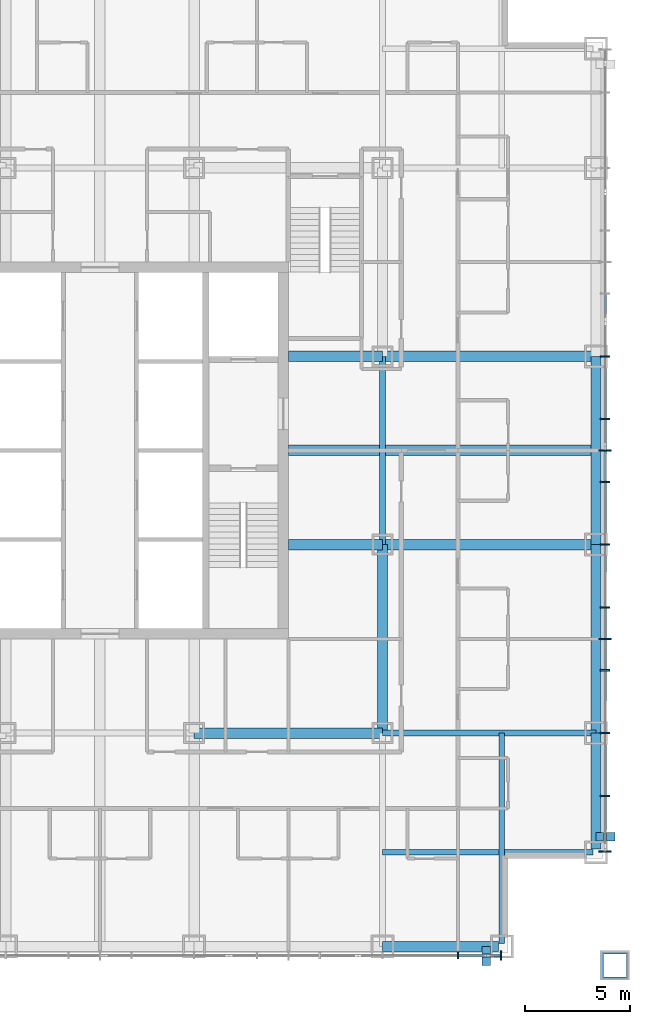
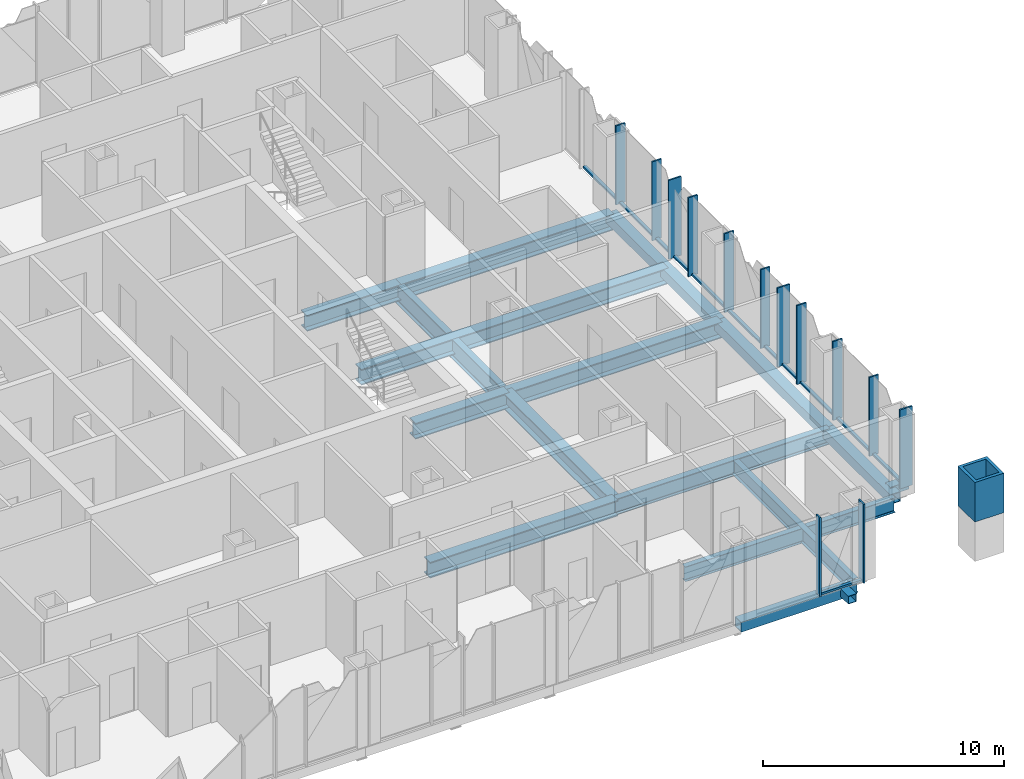
# One storey, part 4 of 23: 28 members, 15 beams, 2 elements without a shape of their own.
"""IFC4 building model written with IfcOpenShell, lengths in metres."""

import ifcopenshell
import ifcopenshell.guid

model = None  # the IFC model being written
_history = None  # IfcOwnerHistory: only IFC2X3 demands one
_inside = {}  # id of a spatial element -> (the spatial element, [elements in it])
_under = {}  # id of a project, library or spatial element -> (it, [spatial elements below it])
_declared = {}  # id of a project -> (the project, [libraries it declares])
_typed = {}  # id of a type object -> (the type object, [elements of that type])
_made_of = {}  # id of a material, layer set ... -> (it, [elements and type objects made of it])


def new_model(schema):
    """Start an empty IFC model of exactly this schema.

    Asked for "IFC4X3", IfcOpenShell would pick the latest addendum, in which some entities
    have other attributes; the version numbers below select the first issue.
    IFC2X3 requires an IfcOwnerHistory on every rooted entity: one is made here for all.
    """
    global model, _history
    if schema == "IFC4X3":
        model = ifcopenshell.file(schema_version=(4, 3, 0, 0))
    else:
        model = ifcopenshell.file(schema=schema)
    _inside.clear()
    _under.clear()
    _declared.clear()
    _typed.clear()
    _made_of.clear()
    _history = None
    if model.schema == "IFC2X3":
        org = make("IfcOrganization", Name="unknown")
        user = make(
            "IfcPersonAndOrganization",
            ThePerson=make("IfcPerson", FamilyName="unknown"),
            TheOrganization=org,
        )
        app = make(
            "IfcApplication",
            ApplicationDeveloper=org,
            Version="unknown",
            ApplicationFullName="unknown",
            ApplicationIdentifier="unknown",
        )
        _history = make(
            "IfcOwnerHistory",
            OwningUser=user,
            OwningApplication=app,
            ChangeAction="ADDED",
            CreationDate=0,
        )
    return model


def make(cls, **values):
    """One entity of the class cls with the attributes given. An attribute that is None is left unset."""
    return model.create_entity(
        cls, **{name: value for name, value in values.items() if value is not None}
    )


def rooted(cls, **values):
    """An entity with a GlobalId (a new one), such as an element, a storey or a relation."""
    return make(cls, GlobalId=ifcopenshell.guid.new(), OwnerHistory=_history, **values)


def si_unit(unit_type, name, prefix=None):
    """IfcSIUnit, for example si_unit("LENGTHUNIT", "METRE", prefix="MILLI")."""
    return make("IfcSIUnit", UnitType=unit_type, Prefix=prefix, Name=name)


def assignment(units):
    """IfcUnitAssignment: the units of a project."""
    return None if units is None else make("IfcUnitAssignment", Units=units)


def point(xyz):
    """IfcCartesianPoint."""
    return None if xyz is None else make("IfcCartesianPoint", Coordinates=xyz)


def direction(xyz):
    """IfcDirection."""
    return None if xyz is None else make("IfcDirection", DirectionRatios=xyz)


def frame(location, z_axis=None, x_axis=None):
    """IfcAxis2Placement3D, a coordinate frame: its origin and axes. An axis left out is left unset."""
    return make(
        "IfcAxis2Placement3D",
        Location=point(location),
        Axis=direction(z_axis),
        RefDirection=direction(x_axis),
    )


def frame_2d(location, x_axis=None):
    """IfcAxis2Placement2D, a coordinate frame in the plane: its origin and x axis."""
    return make(
        "IfcAxis2Placement2D", Location=point(location), RefDirection=direction(x_axis)
    )


def origin():
    """The frame at (0, 0, 0) with its axes left unset."""
    return frame((0.0, 0.0, 0.0))


def origin_2d():
    """The frame at (0, 0) in the plane with its x axis left unset."""
    return frame_2d((0.0, 0.0))


def place(relative_to, where):
    """IfcLocalPlacement: puts the frame where relative to a parent placement (None: the world)."""
    return make(
        "IfcLocalPlacement", PlacementRelTo=relative_to, RelativePlacement=where
    )


def context(
    kind, dimensions, precision=None, world=None, true_north=None, identifier=None
):
    """IfcGeometricRepresentationContext, for example the 3D "Model" context."""
    return make(
        "IfcGeometricRepresentationContext",
        ContextIdentifier=identifier,
        ContextType=kind,
        CoordinateSpaceDimension=dimensions,
        Precision=precision,
        WorldCoordinateSystem=world,
        TrueNorth=true_north,
    )


def subcontext(parent, identifier, kind, view, scale=None):
    """IfcGeometricRepresentationSubContext, for example "Body" below "Model"."""
    return make(
        "IfcGeometricRepresentationSubContext",
        ContextIdentifier=identifier,
        ContextType=kind,
        ParentContext=parent,
        TargetScale=scale,
        TargetView=view,
    )


def project(units=None, contexts=None):
    """IfcProject with its units and contexts."""
    return rooted(
        "IfcProject",
        Name="project",
        RepresentationContexts=contexts,
        UnitsInContext=assignment(units),
    )


def spatial(cls, under=None, at=None, **own):
    """A site, building, storey or space (cls), placed at a placement, below another one or the project."""
    s = rooted(cls, ObjectPlacement=at, **own)
    if under is not None:
        _under.setdefault(under.id(), (under, []))[1].append(s)
    return s


def profile(cls, at=None, kind="AREA", **sizes):
    """A parametric profile (cls). Its sizes go by their IFC names, for example OverallWidth=200.0."""
    return make(cls, ProfileType=kind, Position=at, **sizes)


def rectangle(**sizes):
    """IfcRectangleProfileDef."""
    return profile("IfcRectangleProfileDef", **sizes)


def hollow_rectangle(**sizes):
    """IfcRectangleHollowProfileDef."""
    return profile("IfcRectangleHollowProfileDef", **sizes)


def i_section(**sizes):
    """IfcIShapeProfileDef."""
    return profile("IfcIShapeProfileDef", **sizes)


def extrude(swept, where, along, depth):
    """IfcExtrudedAreaSolid: the profile swept, set in the frame where, extruded along a direction by depth."""
    return make(
        "IfcExtrudedAreaSolid",
        SweptArea=swept,
        Position=where,
        ExtrudedDirection=direction(along),
        Depth=depth,
    )


def shape(context_of_items, identifier, shape_type, items):
    """IfcShapeRepresentation: the items that make up one representation, for example the "Body"."""
    return make(
        "IfcShapeRepresentation",
        ContextOfItems=context_of_items,
        RepresentationIdentifier=identifier,
        RepresentationType=shape_type,
        Items=items,
    )


def material(Name=None, Category=None):
    """IfcMaterial."""
    return make("IfcMaterial", Name=Name, Category=Category)


def layer(
    of_material, thickness, ventilated=None, Name=None, Category=None, Priority=None
):
    """IfcMaterialLayer: one layer of a wall or slab, of a material (None: an air gap)."""
    return make(
        "IfcMaterialLayer",
        Material=of_material,
        LayerThickness=thickness,
        IsVentilated=ventilated,
        Name=Name,
        Category=Category,
        Priority=Priority,
    )


def layer_set(layers, Name=None):
    """IfcMaterialLayerSet."""
    return make("IfcMaterialLayerSet", MaterialLayers=layers, LayerSetName=Name)


def material_profile(
    of_material, cross_section, Name=None, Category=None, Priority=None
):
    """IfcMaterialProfile: a cross section and its material."""
    return make(
        "IfcMaterialProfile",
        Name=Name,
        Material=of_material,
        Profile=cross_section,
        Priority=Priority,
        Category=Category,
    )


def profile_set(profiles, Name=None, composite=None):
    """IfcMaterialProfileSet."""
    return make(
        "IfcMaterialProfileSet",
        Name=Name,
        MaterialProfiles=profiles,
        CompositeProfile=composite,
    )


def made_of(thing, what):
    """Note that an element or type object is made of a material, layer set ...; save() writes the relation."""
    if what is not None:
        _made_of.setdefault(what.id(), (what, []))[1].append(thing)
    return thing


def type_object(cls, material=None, **own):
    """A type object (cls), such as IfcWallType, which elements share."""
    return made_of(rooted(cls, **own), material)


def element(
    cls,
    number,
    at=None,
    inside=None,
    cuts=None,
    type_object=None,
    material=None,
    context=None,
    identifier="Body",
    shape_type=None,
    held_by="IfcProductDefinitionShape",
    body=None,
    shapes=None,
    **own,
):
    """One element of the class cls, such as IfcWall. Its Tag is "e" and its number.

    at: its placement. inside: the storey or other place that contains it. cuts: it is an
    opening in that element (IfcRelVoidsElement). A single representation is given by context,
    identifier, shape_type and body (its items); several are given by shapes. held_by: the class
    of the entity that holds the representations. save() writes the other relations.
    """
    e = rooted(cls, Tag="e%d" % number, ObjectPlacement=at, **own)
    if body is not None:
        shapes = [shape(context, identifier, shape_type, body)]
    if shapes is not None:
        e.Representation = make(held_by, Representations=shapes)
    if inside is not None:
        _inside.setdefault(inside.id(), (inside, []))[1].append(e)
    if cuts is not None:
        rooted(
            "IfcRelVoidsElement", RelatingBuildingElement=cuts, RelatedOpeningElement=e
        )
    if type_object is not None:
        _typed.setdefault(type_object.id(), (type_object, []))[1].append(e)
    return made_of(e, material)


def aggregate(whole, parts):
    """IfcRelAggregates: a whole, such as a stair, and the parts it consists of."""
    return rooted("IfcRelAggregates", RelatingObject=whole, RelatedObjects=parts)


def save(model, path):
    """Write the relations noted so far, then the file.

    IfcRelAggregates (storeys below a building ...), IfcRelContainedInSpatialStructure (elements
    in a storey), IfcRelDefinesByType, IfcRelAssociatesMaterial and IfcRelDeclares: one each for
    every whole, place, type object, material and project.
    """
    for whole, parts in _under.values():
        aggregate(whole, parts)
    for where, things in _inside.values():
        rooted(
            "IfcRelContainedInSpatialStructure",
            RelatedElements=things,
            RelatingStructure=where,
        )
    for kind, things in _typed.values():
        rooted("IfcRelDefinesByType", RelatedObjects=things, RelatingType=kind)
    for what, things in _made_of.values():
        rooted("IfcRelAssociatesMaterial", RelatedObjects=things, RelatingMaterial=what)
    for by, libraries in _declared.values():
        rooted("IfcRelDeclares", RelatingContext=by, RelatedDefinitions=libraries)
    model.write(path)


model = new_model("IFC4")

# Units and contexts
model_context = context("Model", 3, precision=1e-05, world=origin(), true_north=direction((0.0, 1.0)))
body_context = subcontext(model_context, "Body", "Model", "MODEL_VIEW")
ifc_project = project(units=[si_unit("LENGTHUNIT", "METRE"), si_unit("AREAUNIT", "SQUARE_METRE"), si_unit("VOLUMEUNIT", "CUBIC_METRE"), si_unit("PLANEANGLEUNIT", "RADIAN"), si_unit("MASSUNIT", "GRAM", prefix="KILO")], contexts=[model_context])

# Site, building, storey
site_placement = place(None, origin())
site = spatial("IfcSite", under=ifc_project, at=site_placement, CompositionType="ELEMENT")
building_placement = place(site_placement, origin())
building = spatial("IfcBuilding", under=site, at=building_placement, Name="Malebo Sky Hospital", CompositionType="ELEMENT")
storey_placement = place(building_placement, frame((0.0, 0.0, 168.0)))
storey = spatial("IfcBuildingStorey", under=building, at=storey_placement, Name="L40", CompositionType="ELEMENT", Elevation=168.0)

# Curtain wall, member
ifc_material_1 = material(Name="Anodised aluminium, natural silver", Category="aluminium")
ifc_layer_1 = layer(ifc_material_1, 0.25)
ifc_layer_set_1 = layer_set([ifc_layer_1], Name="WARD CURTAIN WALL NORTH AND SOUTH")
curtain_wall_type_1 = type_object("IfcCurtainWallType", Name="WARD CURTAIN WALL NORTH AND SOUTH", PredefinedType="NOTDEFINED", material=ifc_layer_set_1)
curtain_wall_1_placement = place(storey_placement, origin())
curtain_wall_1 = element("IfcCurtainWall", 1, at=curtain_wall_1_placement, inside=storey, type_object=curtain_wall_type_1, Name="NS curtain wall S", PredefinedType="NOTDEFINED")
ifc_material_profile_1 = material_profile(ifc_material_1, rectangle(XDim=0.14990234375, YDim=0.10009765625, at=origin_2d()), Name="ALUMINIUM TRANSOM 150x100")
ifc_profile_set_1 = profile_set([ifc_material_profile_1], Name="Anodised aluminium, natural silver")
member_type_1 = type_object("IfcMemberType", Name="ALUMINIUM TRANSOM 150x100", PredefinedType="USERDEFINED", material=ifc_profile_set_1)
member_1_placement = place(storey_placement, frame((79.125, 37.864990234375, 0.050048828125), z_axis=(-1.0, 0.0, 0.0), x_axis=(0.0, -1.0, 0.0)))
member_1 = element("IfcMember", 2, at=member_1_placement, type_object=member_type_1, Name="Transom 1", ObjectType="TRANSOM", PredefinedType="USERDEFINED", context=body_context, shape_type="SweptSolid", body=[
    extrude(rectangle(XDim=0.14990234375, YDim=0.10009765625, at=origin_2d()), origin(), (0.0, 0.0, 1.0), 1.987548828125),
])

# Curtain wall, members
ifc_layer_2 = layer(ifc_material_1, 0.25)
ifc_layer_set_2 = layer_set([ifc_layer_2], Name="WARD CURTAIN WALL EAST AND WEST")
curtain_wall_type_2 = type_object("IfcCurtainWallType", Name="WARD CURTAIN WALL EAST AND WEST", PredefinedType="NOTDEFINED", material=ifc_layer_set_2)
curtain_wall_2_placement = place(storey_placement, origin())
curtain_wall_2 = element("IfcCurtainWall", 3, at=curtain_wall_2_placement, inside=storey, type_object=curtain_wall_type_2, Name="EW curtain wall E", PredefinedType="NOTDEFINED")
member_2_placement = place(storey_placement, frame((84.135009765625, 69.46240234375, 0.050048828125), z_axis=(0.0, -1.0, 0.0), x_axis=(1.0, 0.0, 0.0)))
member_2 = element("IfcMember", 4, at=member_2_placement, type_object=member_type_1, Name="Transom 6", ObjectType="TRANSOM", PredefinedType="USERDEFINED", context=body_context, shape_type="SweptSolid", body=[
    extrude(rectangle(XDim=0.14990234375, YDim=0.10009765625, at=origin_2d()), origin(), (0.0, 0.0, 1.0), 2.9248046875),
])
member_3_placement = place(storey_placement, frame((84.135009765625, 66.46240234375, 0.050048828125), z_axis=(0.0, -1.0, 0.0), x_axis=(1.0, 0.0, 0.0)))
member_3 = element("IfcMember", 5, at=member_3_placement, type_object=member_type_1, Name="Transom 7", ObjectType="TRANSOM", PredefinedType="USERDEFINED", context=body_context, shape_type="SweptSolid", body=[
    extrude(rectangle(XDim=0.14990234375, YDim=0.10009765625, at=origin_2d()), origin(), (0.0, 0.0, 1.0), 2.9248046875),
])
member_4_placement = place(storey_placement, frame((84.135009765625, 63.46240234375, 0.050048828125), z_axis=(0.0, -1.0, 0.0), x_axis=(1.0, 0.0, 0.0)))
member_4 = element("IfcMember", 6, at=member_4_placement, type_object=member_type_1, Name="Transom 8", ObjectType="TRANSOM", PredefinedType="USERDEFINED", context=body_context, shape_type="SweptSolid", body=[
    extrude(rectangle(XDim=0.14990234375, YDim=0.10009765625, at=origin_2d()), origin(), (0.0, 0.0, 1.0), 1.4248046875),
])
member_5_placement = place(storey_placement, frame((84.135009765625, 61.96240234375, 0.050048828125), z_axis=(0.0, -1.0, 0.0), x_axis=(1.0, 0.0, 0.0)))
member_5 = element("IfcMember", 7, at=member_5_placement, type_object=member_type_1, Name="Transom 9", ObjectType="TRANSOM", PredefinedType="USERDEFINED", context=body_context, shape_type="SweptSolid", body=[
    extrude(rectangle(XDim=0.14990234375, YDim=0.10009765625, at=origin_2d()), origin(), (0.0, 0.0, 1.0), 1.4248046875),
])
member_6_placement = place(storey_placement, frame((84.135009765625, 60.46240234375, 0.050048828125), z_axis=(0.0, -1.0, 0.0), x_axis=(1.0, 0.0, 0.0)))
member_6 = element("IfcMember", 8, at=member_6_placement, type_object=member_type_1, Name="Transom 10", ObjectType="TRANSOM", PredefinedType="USERDEFINED", context=body_context, shape_type="SweptSolid", body=[
    extrude(rectangle(XDim=0.14990234375, YDim=0.10009765625, at=origin_2d()), origin(), (0.0, 0.0, 1.0), 2.9248046875),
])
member_7_placement = place(storey_placement, frame((84.135009765625, 57.46240234375, 0.050048828125), z_axis=(0.0, -1.0, 0.0), x_axis=(1.0, 0.0, 0.0)))
member_7 = element("IfcMember", 9, at=member_7_placement, type_object=member_type_1, Name="Transom 11", ObjectType="TRANSOM", PredefinedType="USERDEFINED", context=body_context, shape_type="SweptSolid", body=[
    extrude(rectangle(XDim=0.14990234375, YDim=0.10009765625, at=origin_2d()), origin(), (0.0, 0.0, 1.0), 2.9248046875),
])
member_8_placement = place(storey_placement, frame((84.135009765625, 54.46240234375, 0.050048828125), z_axis=(0.0, -1.0, 0.0), x_axis=(1.0, 0.0, 0.0)))
member_8 = element("IfcMember", 10, at=member_8_placement, type_object=member_type_1, Name="Transom 12", ObjectType="TRANSOM", PredefinedType="USERDEFINED", context=body_context, shape_type="SweptSolid", body=[
    extrude(rectangle(XDim=0.14990234375, YDim=0.10009765625, at=origin_2d()), origin(), (0.0, 0.0, 1.0), 1.4248046875),
])
member_9_placement = place(storey_placement, frame((84.135009765625, 52.96240234375, 0.050048828125), z_axis=(0.0, -1.0, 0.0), x_axis=(1.0, 0.0, 0.0)))
member_9 = element("IfcMember", 11, at=member_9_placement, type_object=member_type_1, Name="Transom 13", ObjectType="TRANSOM", PredefinedType="USERDEFINED", context=body_context, shape_type="SweptSolid", body=[
    extrude(rectangle(XDim=0.14990234375, YDim=0.10009765625, at=origin_2d()), origin(), (0.0, 0.0, 1.0), 1.4248046875),
])
member_10_placement = place(storey_placement, frame((84.135009765625, 51.46240234375, 0.050048828125), z_axis=(0.0, -1.0, 0.0), x_axis=(1.0, 0.0, 0.0)))
member_10 = element("IfcMember", 12, at=member_10_placement, type_object=member_type_1, Name="Transom 14", ObjectType="TRANSOM", PredefinedType="USERDEFINED", context=body_context, shape_type="SweptSolid", body=[
    extrude(rectangle(XDim=0.14990234375, YDim=0.10009765625, at=origin_2d()), origin(), (0.0, 0.0, 1.0), 2.9248046875),
])
member_11_placement = place(storey_placement, frame((84.135009765625, 48.46240234375, 0.050048828125), z_axis=(0.0, -1.0, 0.0), x_axis=(1.0, 0.0, 0.0)))
member_11 = element("IfcMember", 13, at=member_11_placement, type_object=member_type_1, Name="Transom 15", ObjectType="TRANSOM", PredefinedType="USERDEFINED", context=body_context, shape_type="SweptSolid", body=[
    extrude(rectangle(XDim=0.14990234375, YDim=0.10009765625, at=origin_2d()), origin(), (0.0, 0.0, 1.0), 2.9248046875),
])
member_12_placement = place(storey_placement, frame((84.135009765625, 45.46240234375, 0.050048828125), z_axis=(0.0, -1.0, 0.0), x_axis=(1.0, 0.0, 0.0)))
member_12 = element("IfcMember", 14, at=member_12_placement, type_object=member_type_1, Name="Transom 16", ObjectType="TRANSOM", PredefinedType="USERDEFINED", context=body_context, shape_type="SweptSolid", body=[
    extrude(rectangle(XDim=0.14990234375, YDim=0.10009765625, at=origin_2d()), origin(), (0.0, 0.0, 1.0), 2.58740234375),
])

# Members
ifc_material_2 = material(Name="Steel S355", Category="steel")
ifc_material_profile_2 = material_profile(ifc_material_2, hollow_rectangle(XDim=0.39990234375, YDim=0.39990234375, WallThickness=0.02001953125, at=origin_2d()), Name="SHS 400x20")
ifc_profile_set_2 = profile_set([ifc_material_profile_2], Name="Steel S355")
member_type_2 = type_object("IfcMemberType", Name="BRACE STRUT SHS 400x20", PredefinedType="STRUT", material=ifc_profile_set_2)
for number, where, z_axis, x_axis, name in (
    (15, (78.449951171875, 37.39990234375, -0.39990234375), (0.0, 1.0, 0.0), (-1.0, 0.0, 0.0), "Brace strut BS1 L40"),
    (16, (84.60009765625, 43.550048828125, -0.39990234375), (-1.0, 0.0, 0.0), (0.0, -1.0, 0.0), "Brace strut BE2 L40"),
):
    element("IfcMember", number, at=place(storey_placement, frame(where, z_axis=z_axis, x_axis=x_axis)), inside=storey, type_object=member_type_2, Name=name, PredefinedType="STRUT", context=body_context, shape_type="SweptSolid", body=[
        extrude(hollow_rectangle(XDim=0.39990234375, YDim=0.39990234375, WallThickness=0.02001953125, at=origin_2d()), origin(), (0.0, 0.0, 1.0), 0.900146484375),
    ])

# Member
ifc_material_profile_3 = material_profile(ifc_material_1, rectangle(XDim=0.074951171875, YDim=0.300048828125, at=origin_2d()), Name="CW1 ALUMINIUM FIN MULLION 75x300")
ifc_profile_set_3 = profile_set([ifc_material_profile_3], Name="Anodised aluminium, natural silver")
member_type_3 = type_object("IfcMemberType", Name="CW1 ALUMINIUM FIN MULLION 75x300", PredefinedType="MULLION", material=ifc_profile_set_3)
member_13_placement = place(storey_placement, frame((77.10009765625, 37.864990234375, 0.0), z_axis=(0.0, 0.0, 1.0), x_axis=(-1.0, 0.0, 0.0)))
member_13 = element("IfcMember", 17, at=member_13_placement, type_object=member_type_3, Name="Fin mullion 2", PredefinedType="MULLION", context=body_context, shape_type="SweptSolid", body=[
    extrude(rectangle(XDim=0.074951171875, YDim=0.300048828125, at=origin_2d()), origin(), (0.0, 0.0, 1.0), 4.0),
])

ifc_material_profile_4 = material_profile(ifc_material_1, rectangle(XDim=0.074951171875, YDim=0.449951171875, at=origin_2d()), Name="CW1 ALUMINIUM FIN MULLION 75x450")
ifc_profile_set_4 = profile_set([ifc_material_profile_4], Name="Anodised aluminium, natural silver")
member_type_4 = type_object("IfcMemberType", Name="CW1 ALUMINIUM FIN MULLION 75x450", PredefinedType="MULLION", material=ifc_profile_set_4)
member_14_placement = place(storey_placement, frame((79.16259765625, 37.864990234375, 0.0), z_axis=(0.0, 0.0, 1.0), x_axis=(-1.0, 0.0, 0.0)))
member_14 = element("IfcMember", 18, at=member_14_placement, type_object=member_type_4, Name="Fin mullion 1", PredefinedType="MULLION", context=body_context, shape_type="SweptSolid", body=[
    extrude(rectangle(XDim=0.074951171875, YDim=0.449951171875, at=origin_2d()), origin(), (0.0, 0.0, 1.0), 4.0),
])

aggregate(curtain_wall_1, [member_14, member_13, member_1])

ifc_material_profile_5 = material_profile(ifc_material_1, rectangle(XDim=0.074951171875, YDim=0.449951171875, at=origin_2d()), Name="CW2 ALUMINIUM FIN MULLION 75x450")
ifc_profile_set_5 = profile_set([ifc_material_profile_5], Name="Anodised aluminium, natural silver")
member_type_5 = type_object("IfcMemberType", Name="CW2 ALUMINIUM FIN MULLION 75x450", PredefinedType="MULLION", material=ifc_profile_set_5)
member_15_placement = place(storey_placement, frame((84.135009765625, 66.5, 0.0), z_axis=(0.0, 0.0, 1.0), x_axis=(0.0, -1.0, 0.0)))
member_15 = element("IfcMember", 19, at=member_15_placement, type_object=member_type_5, Name="Fin mullion 7", PredefinedType="MULLION", context=body_context, shape_type="SweptSolid", body=[
    extrude(rectangle(XDim=0.074951171875, YDim=0.449951171875, at=origin_2d()), origin(), (0.0, 0.0, 1.0), 4.0),
])

member_16_placement = place(storey_placement, frame((84.135009765625, 63.5, 0.0), z_axis=(0.0, 0.0, 1.0), x_axis=(0.0, -1.0, 0.0)))
member_16 = element("IfcMember", 20, at=member_16_placement, type_object=member_type_5, Name="Fin mullion 8", PredefinedType="MULLION", context=body_context, shape_type="SweptSolid", body=[
    extrude(rectangle(XDim=0.074951171875, YDim=0.449951171875, at=origin_2d()), origin(), (0.0, 0.0, 1.0), 4.0),
])

member_17_placement = place(storey_placement, frame((84.135009765625, 60.5, 0.0), z_axis=(0.0, 0.0, 1.0), x_axis=(0.0, -1.0, 0.0)))
member_17 = element("IfcMember", 21, at=member_17_placement, type_object=member_type_5, Name="Fin mullion 10", PredefinedType="MULLION", context=body_context, shape_type="SweptSolid", body=[
    extrude(rectangle(XDim=0.074951171875, YDim=0.449951171875, at=origin_2d()), origin(), (0.0, 0.0, 1.0), 4.0),
])

member_18_placement = place(storey_placement, frame((84.135009765625, 57.5, 0.0), z_axis=(0.0, 0.0, 1.0), x_axis=(0.0, -1.0, 0.0)))
member_18 = element("IfcMember", 22, at=member_18_placement, type_object=member_type_5, Name="Fin mullion 11", PredefinedType="MULLION", context=body_context, shape_type="SweptSolid", body=[
    extrude(rectangle(XDim=0.074951171875, YDim=0.449951171875, at=origin_2d()), origin(), (0.0, 0.0, 1.0), 4.0),
])

member_19_placement = place(storey_placement, frame((84.135009765625, 54.5, 0.0), z_axis=(0.0, 0.0, 1.0), x_axis=(0.0, -1.0, 0.0)))
member_19 = element("IfcMember", 23, at=member_19_placement, type_object=member_type_5, Name="Fin mullion 12", PredefinedType="MULLION", context=body_context, shape_type="SweptSolid", body=[
    extrude(rectangle(XDim=0.074951171875, YDim=0.449951171875, at=origin_2d()), origin(), (0.0, 0.0, 1.0), 4.0),
])

member_20_placement = place(storey_placement, frame((84.135009765625, 51.5, 0.0), z_axis=(0.0, 0.0, 1.0), x_axis=(0.0, -1.0, 0.0)))
member_20 = element("IfcMember", 24, at=member_20_placement, type_object=member_type_5, Name="Fin mullion 14", PredefinedType="MULLION", context=body_context, shape_type="SweptSolid", body=[
    extrude(rectangle(XDim=0.074951171875, YDim=0.449951171875, at=origin_2d()), origin(), (0.0, 0.0, 1.0), 4.0),
])

member_21_placement = place(storey_placement, frame((84.135009765625, 48.5, 0.0), z_axis=(0.0, 0.0, 1.0), x_axis=(0.0, -1.0, 0.0)))
member_21 = element("IfcMember", 25, at=member_21_placement, type_object=member_type_5, Name="Fin mullion 15", PredefinedType="MULLION", context=body_context, shape_type="SweptSolid", body=[
    extrude(rectangle(XDim=0.074951171875, YDim=0.449951171875, at=origin_2d()), origin(), (0.0, 0.0, 1.0), 4.0),
])

member_22_placement = place(storey_placement, frame((84.135009765625, 45.5, 0.0), z_axis=(0.0, 0.0, 1.0), x_axis=(0.0, -1.0, 0.0)))
member_22 = element("IfcMember", 26, at=member_22_placement, type_object=member_type_5, Name="Fin mullion 16", PredefinedType="MULLION", context=body_context, shape_type="SweptSolid", body=[
    extrude(rectangle(XDim=0.074951171875, YDim=0.449951171875, at=origin_2d()), origin(), (0.0, 0.0, 1.0), 4.0),
])

ifc_material_profile_6 = material_profile(ifc_material_1, rectangle(XDim=0.074951171875, YDim=0.60009765625, at=origin_2d()), Name="CW2 ALUMINIUM FIN MULLION 75x600")
ifc_profile_set_6 = profile_set([ifc_material_profile_6], Name="Anodised aluminium, natural silver")
member_type_6 = type_object("IfcMemberType", Name="CW2 ALUMINIUM FIN MULLION 75x600", PredefinedType="MULLION", material=ifc_profile_set_6)
member_23_placement = place(storey_placement, frame((84.135009765625, 62.0, 0.0), z_axis=(0.0, 0.0, 1.0), x_axis=(0.0, -1.0, 0.0)))
member_23 = element("IfcMember", 27, at=member_23_placement, type_object=member_type_6, Name="Fin mullion 9", PredefinedType="MULLION", context=body_context, shape_type="SweptSolid", body=[
    extrude(rectangle(XDim=0.074951171875, YDim=0.60009765625, at=origin_2d()), origin(), (0.0, 0.0, 1.0), 4.0),
])

member_24_placement = place(storey_placement, frame((84.135009765625, 53.0, 0.0), z_axis=(0.0, 0.0, 1.0), x_axis=(0.0, -1.0, 0.0)))
member_24 = element("IfcMember", 28, at=member_24_placement, type_object=member_type_6, Name="Fin mullion 13", PredefinedType="MULLION", context=body_context, shape_type="SweptSolid", body=[
    extrude(rectangle(XDim=0.074951171875, YDim=0.60009765625, at=origin_2d()), origin(), (0.0, 0.0, 1.0), 4.0),
])

member_25_placement = place(storey_placement, frame((84.135009765625, 42.83740234375, 0.0), z_axis=(0.0, 0.0, 1.0), x_axis=(0.0, -1.0, 0.0)))
member_25 = element("IfcMember", 29, at=member_25_placement, type_object=member_type_6, Name="Fin mullion 17", PredefinedType="MULLION", context=body_context, shape_type="SweptSolid", body=[
    extrude(rectangle(XDim=0.074951171875, YDim=0.60009765625, at=origin_2d()), origin(), (0.0, 0.0, 1.0), 4.0),
])

aggregate(curtain_wall_2, [member_15, member_16, member_23, member_17, member_18, member_19, member_24, member_20, member_21, member_22, member_25, member_2, member_3, member_4, member_5, member_6, member_7, member_8, member_9, member_10, member_11, member_12])

# Beams
ifc_material_3 = material(Name="Steel S460", Category="steel")
ifc_material_profile_7 = material_profile(ifc_material_3, hollow_rectangle(XDim=0.5, YDim=0.5, WallThickness=0.030029296875, at=origin_2d()), Name="BOX 500x500x30")
ifc_profile_set_7 = profile_set([ifc_material_profile_7], Name="Steel S460")
beam_type_1 = type_object("IfcBeamType", Name="EDGE BEAM BOX 500x500x30", PredefinedType="BEAM", material=ifc_profile_set_7)
beam_1_placement = place(storey_placement, frame((83.699951171875, 42.949951171875, -0.5), z_axis=(0.0, 1.0, 0.0), x_axis=(-1.0, 0.0, 0.0)))
element("IfcBeam", 30, at=beam_1_placement, inside=storey, type_object=beam_type_1, Name="Beam 029 L40", PredefinedType="BEAM", context=body_context, shape_type="SweptSolid", body=[
    extrude(hollow_rectangle(XDim=0.5, YDim=0.5, WallThickness=0.030029296875, at=origin_2d()), origin(), (0.0, 0.0, 1.0), 5.550048828125),
])
for number, where, z_axis, x_axis, name in (
    (31, (83.699951171875, 48.5, -0.5), (0.0, 1.0, 0.0), (-1.0, 0.0, 0.0), "Beam 030 L40"),
    (32, (83.699951171875, 57.5, -0.5), (0.0, 1.0, 0.0), (-1.0, 0.0, 0.0), "Beam 031 L40"),
):
    element("IfcBeam", number, at=place(storey_placement, frame(where, z_axis=z_axis, x_axis=x_axis)), inside=storey, type_object=beam_type_1, Name=name, PredefinedType="BEAM", context=body_context, shape_type="SweptSolid", body=[
        extrude(hollow_rectangle(XDim=0.5, YDim=0.5, WallThickness=0.030029296875, at=origin_2d()), origin(), (0.0, 0.0, 1.0), 9.0),
    ])
beam_2_placement = place(storey_placement, frame((73.5, 38.300048828125, -0.5), z_axis=(1.0, 0.0, 0.0), x_axis=(0.0, 1.0, 0.0)))
element("IfcBeam", 33, at=beam_2_placement, inside=storey, type_object=beam_type_1, Name="Beam 038 L40", PredefinedType="BEAM", context=body_context, shape_type="SweptSolid", body=[
    extrude(hollow_rectangle(XDim=0.5, YDim=0.5, WallThickness=0.030029296875, at=origin_2d()), origin(), (0.0, 0.0, 1.0), 5.550048828125),
])
ifc_material_profile_8 = material_profile(ifc_material_2, i_section(OverallWidth=0.262939453125, OverallDepth=0.7529296875, WebThickness=0.011474609375, FlangeThickness=0.01708984375, FilletRadius=0.01708984375, at=origin_2d()), Name="IPE 750x137")
ifc_profile_set_8 = profile_set([ifc_material_profile_8], Name="Steel S355")
beam_type_2 = type_object("IfcBeamType", Name="FLOOR BEAM IPE 750x137", PredefinedType="BEAM", material=ifc_profile_set_8)
for number, where, z_axis, x_axis, name in (
    (34, (79.199951171875, 38.449951171875, -0.62646484375), (0.0, 1.0, 0.0), (-1.0, 0.0, 0.0), "Beam 027 L40"),
    (35, (73.5, 42.800048828125, -0.62646484375), (1.0, 0.0, 0.0), (0.0, 1.0, 0.0), "Beam 040 L40"),
):
    element("IfcBeam", number, at=place(storey_placement, frame(where, z_axis=z_axis, x_axis=x_axis)), inside=storey, type_object=beam_type_2, Name=name, PredefinedType="BEAM", context=body_context, shape_type="SweptSolid", body=[
        extrude(i_section(OverallWidth=0.262939453125, OverallDepth=0.7529296875, WebThickness=0.011474609375, FlangeThickness=0.01708984375, FilletRadius=0.01708984375, at=origin_2d()), origin(), (0.0, 0.0, 1.0), 10.050048828125),
    ])
ifc_material_profile_9 = material_profile(ifc_material_2, i_section(OverallWidth=0.5, OverallDepth=0.800048828125, WebThickness=0.030029296875, FlangeThickness=0.050048828125, at=origin_2d()), Name="PG 800x500x30x50")
ifc_profile_set_9 = profile_set([ifc_material_profile_9], Name="Steel S355")
beam_type_3 = type_object("IfcBeamType", Name="FLOOR BEAM PG 800x500x30x50", PredefinedType="BEAM", material=ifc_profile_set_9)
for number, where, z_axis, x_axis, name in (
    (36, (73.5, 48.5, -0.64990234375), (0.0, 1.0, 0.0), (-1.0, 0.0, 0.0), "Beam 023 L40"),
    (37, (64.5, 48.5, -0.64990234375), (1.0, 0.0, 0.0), (0.0, 1.0, 0.0), "Beam 044 L40"),
):
    element("IfcBeam", number, at=place(storey_placement, frame(where, z_axis=z_axis, x_axis=x_axis)), inside=storey, type_object=beam_type_3, Name=name, PredefinedType="BEAM", context=body_context, shape_type="SweptSolid", body=[
        extrude(i_section(OverallWidth=0.5, OverallDepth=0.800048828125, WebThickness=0.030029296875, FlangeThickness=0.050048828125, at=origin_2d()), origin(), (0.0, 0.0, 1.0), 9.0),
    ])
beam_3_placement = place(storey_placement, frame((69.0, 57.5, -0.64990234375), z_axis=(1.0, 0.0, 0.0), x_axis=(0.0, 1.0, 0.0)))
element("IfcBeam", 38, at=beam_3_placement, inside=storey, type_object=beam_type_3, Name="Beam 048 L40", PredefinedType="BEAM", context=body_context, shape_type="SweptSolid", body=[
    extrude(i_section(OverallWidth=0.5, OverallDepth=0.800048828125, WebThickness=0.030029296875, FlangeThickness=0.050048828125, at=origin_2d()), origin(), (0.0, 0.0, 1.0), 4.5),
])
beam_4_placement = place(storey_placement, frame((73.5, 57.5, -0.64990234375), z_axis=(1.0, 0.0, 0.0), x_axis=(0.0, 1.0, 0.0)))
element("IfcBeam", 39, at=beam_4_placement, inside=storey, type_object=beam_type_3, Name="Beam 049 L40", PredefinedType="BEAM", context=body_context, shape_type="SweptSolid", body=[
    extrude(i_section(OverallWidth=0.5, OverallDepth=0.800048828125, WebThickness=0.030029296875, FlangeThickness=0.050048828125, at=origin_2d()), origin(), (0.0, 0.0, 1.0), 10.199951171875),
])
beam_5_placement = place(storey_placement, frame((69.0, 62.0, -0.64990234375), z_axis=(1.0, 0.0, 0.0), x_axis=(0.0, 1.0, 0.0)))
element("IfcBeam", 40, at=beam_5_placement, inside=storey, type_object=beam_type_3, Name="Beam 051 L40", PredefinedType="BEAM", context=body_context, shape_type="SweptSolid", body=[
    extrude(i_section(OverallWidth=0.5, OverallDepth=0.800048828125, WebThickness=0.030029296875, FlangeThickness=0.050048828125, at=origin_2d()), origin(), (0.0, 0.0, 1.0), 14.699951171875),
])
beam_6_placement = place(storey_placement, frame((69.0, 66.5, -0.64990234375), z_axis=(1.0, 0.0, 0.0), x_axis=(0.0, 1.0, 0.0)))
element("IfcBeam", 41, at=beam_6_placement, inside=storey, type_object=beam_type_3, Name="Beam 054 L40", PredefinedType="BEAM", context=body_context, shape_type="SweptSolid", body=[
    extrude(i_section(OverallWidth=0.5, OverallDepth=0.800048828125, WebThickness=0.030029296875, FlangeThickness=0.050048828125, at=origin_2d()), origin(), (0.0, 0.0, 1.0), 4.5),
])
beam_7_placement = place(storey_placement, frame((73.5, 66.5, -0.64990234375), z_axis=(1.0, 0.0, 0.0), x_axis=(0.0, 1.0, 0.0)))
element("IfcBeam", 42, at=beam_7_placement, inside=storey, type_object=beam_type_3, Name="Beam 055 L40", PredefinedType="BEAM", context=body_context, shape_type="SweptSolid", body=[
    extrude(i_section(OverallWidth=0.5, OverallDepth=0.800048828125, WebThickness=0.030029296875, FlangeThickness=0.050048828125, at=origin_2d()), origin(), (0.0, 0.0, 1.0), 10.199951171875),
])
ifc_material_profile_10 = material_profile(ifc_material_2, i_section(OverallWidth=0.300048828125, OverallDepth=0.800048828125, WebThickness=0.017578125, FlangeThickness=0.032958984375, FilletRadius=0.030029296875, at=origin_2d()), Name="HEB 800")
ifc_profile_set_10 = profile_set([ifc_material_profile_10], Name="Steel S355")
beam_type_4 = type_object("IfcBeamType", Name="FLOOR GIRDER HEB 800", PredefinedType="BEAM", material=ifc_profile_set_10)
beam_8_placement = place(storey_placement, frame((73.5, 48.5, -0.64990234375), z_axis=(1.0, 0.0, 0.0), x_axis=(0.0, 1.0, 0.0)))
element("IfcBeam", 43, at=beam_8_placement, inside=storey, type_object=beam_type_4, Name="Beam 045 L40", PredefinedType="BEAM", context=body_context, shape_type="SweptSolid", body=[
    extrude(i_section(OverallWidth=0.300048828125, OverallDepth=0.800048828125, WebThickness=0.017578125, FlangeThickness=0.032958984375, FilletRadius=0.030029296875, at=origin_2d()), origin(), (0.0, 0.0, 1.0), 10.199951171875),
])

# Member
ifc_material_profile_11 = material_profile(ifc_material_3, hollow_rectangle(XDim=1.39990234375, YDim=1.39990234375, WallThickness=0.14990234375, at=origin_2d()), Name="BOX 1400x1400x150")
ifc_profile_set_11 = profile_set([ifc_material_profile_11], Name="Steel S460")
member_type_7 = type_object("IfcMemberType", Name="MEGA COLUMN NODE BOX 1400x1400x150", PredefinedType="MEMBER", material=ifc_profile_set_11)
member_26_placement = place(storey_placement, frame((84.60009765625, 37.39990234375, 2.0), z_axis=(0.0, 0.0, 1.0), x_axis=(1.0, 0.0, 0.0)))
element("IfcMember", 44, at=member_26_placement, inside=storey, type_object=member_type_7, Name="Mega column node SE L40", PredefinedType="MEMBER", context=body_context, shape_type="SweptSolid", body=[
    extrude(hollow_rectangle(XDim=1.39990234375, YDim=1.39990234375, WallThickness=0.14990234375, at=origin_2d()), origin(), (0.0, 0.0, 1.0), 2.0),
])

# Beam
ifc_material_profile_12 = material_profile(ifc_material_2, i_section(OverallWidth=0.300048828125, OverallDepth=1.0, WebThickness=0.01904296875, FlangeThickness=0.035888671875, FilletRadius=0.030029296875, at=origin_2d()), Name="HEB 1000")
ifc_profile_set_12 = profile_set([ifc_material_profile_12], Name="Steel S355")
beam_type_5 = type_object("IfcBeamType", Name="RING GIRDER HEB 1000", PredefinedType="BEAM", material=ifc_profile_set_12)
beam_9_placement = place(storey_placement, frame((73.5, 57.5, -0.75), z_axis=(0.0, 1.0, 0.0), x_axis=(-1.0, 0.0, 0.0)))
element("IfcBeam", 45, at=beam_9_placement, inside=storey, type_object=beam_type_5, Name="Beam 024 L40", PredefinedType="BEAM", context=body_context, shape_type="SweptSolid", body=[
    extrude(i_section(OverallWidth=0.300048828125, OverallDepth=1.0, WebThickness=0.01904296875, FlangeThickness=0.035888671875, FilletRadius=0.030029296875, at=origin_2d()), origin(), (0.0, 0.0, 1.0), 9.0),
])

save(model, "model.ifc")
